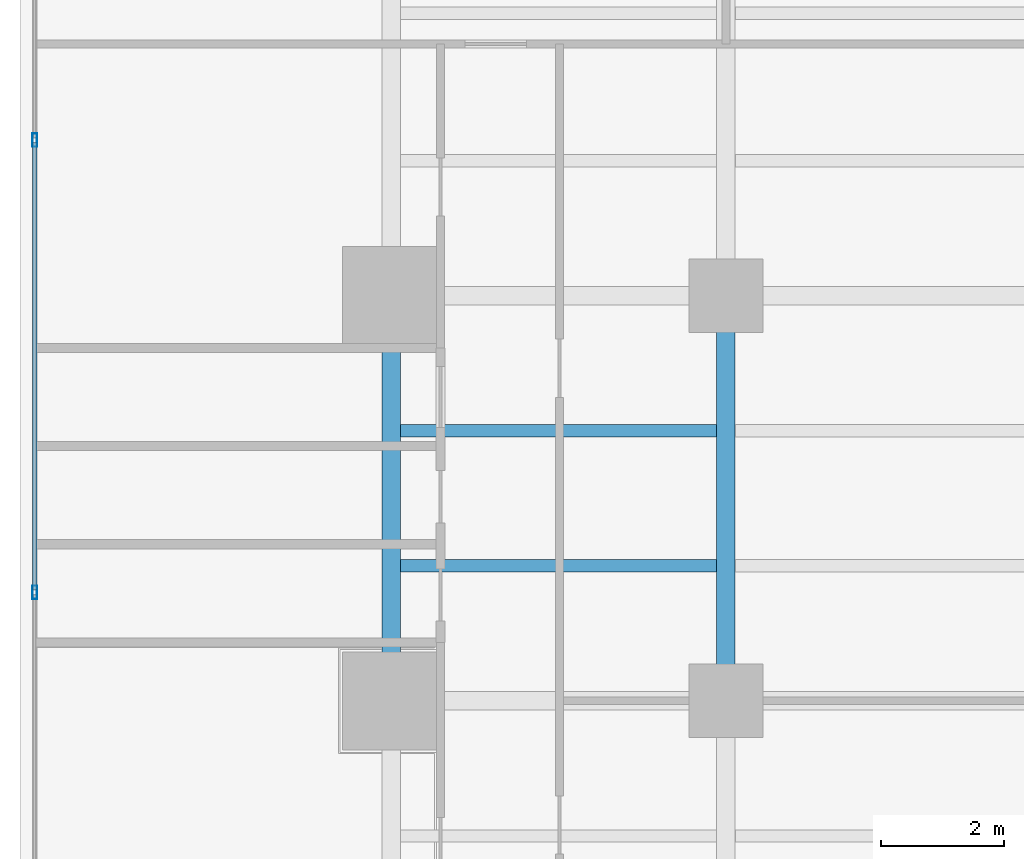
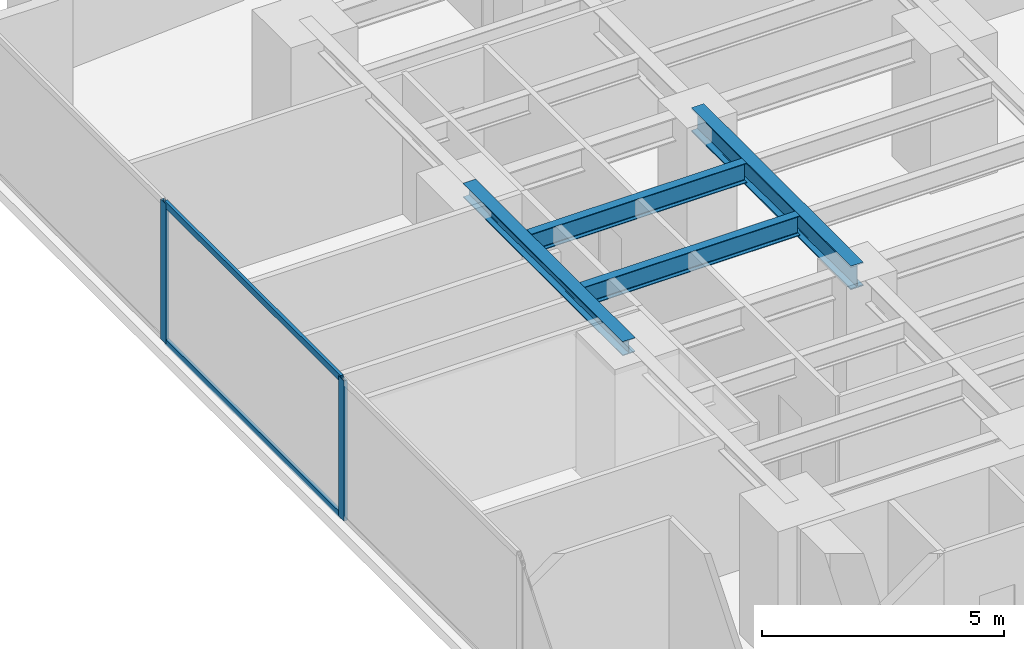
# One storey, part 15 of 30: 4 beams, 4 members, 1 element without a shape of its own.
"""IFC4 building model written with IfcOpenShell, lengths in metres."""

from ifc_helpers import new_model, si_unit, direction, frame, origin, origin_with_axes, origin_2d, place, context, subcontext, project, spatial, hollow_rectangle, i_section, extrude, source, transform, mapped, material, layer, layer_set, material_profile, profile_set, type_object, element, aggregate, save


model = new_model("IFC4")

# Units and contexts
model_context = context("Model", 3, precision=1e-05, world=origin(), true_north=direction((0.0, 1.0)))
body_context = subcontext(model_context, "Body", "Model", "MODEL_VIEW")
ifc_project = project(units=[si_unit("LENGTHUNIT", "METRE"), si_unit("AREAUNIT", "SQUARE_METRE"), si_unit("VOLUMEUNIT", "CUBIC_METRE"), si_unit("PLANEANGLEUNIT", "RADIAN"), si_unit("MASSUNIT", "GRAM", prefix="KILO")], contexts=[model_context])

# Site, building, storey
site_placement = place(None, origin())
site = spatial("IfcSite", under=ifc_project, at=site_placement, CompositionType="ELEMENT")
building_placement = place(site_placement, origin())
building = spatial("IfcBuilding", under=site, at=building_placement, Name="Kolvaren Waterfront Exchange", CompositionType="ELEMENT")
storey_placement = place(building_placement, frame((0.0, 0.0, 71.39990234375)))
storey = spatial("IfcBuildingStorey", under=building, at=storey_placement, Name="L18", CompositionType="ELEMENT", Elevation=71.39990234375)

# Beams
ifc_material_1 = material(Name="Steel S355", Category="steel")
ifc_material_profile_1 = material_profile(ifc_material_1, i_section(OverallWidth=0.300048828125, OverallDepth=0.360107421875, WebThickness=0.012451171875, FlangeThickness=0.0224609375, FilletRadius=0.027099609375, at=origin_2d()), Name="HEB360")
ifc_profile_set_1 = profile_set([ifc_material_profile_1], Name="Steel S355")
beam_type_1 = type_object("IfcBeamType", Name="STR-BM-HEB360", PredefinedType="SPANDREL", material=ifc_profile_set_1)
beam_1_placement = place(storey_placement, frame((7.449951171875, 31.199951171875, 3.360107421875), z_axis=(0.0, 1.0, 0.0), x_axis=(-1.0, 0.0, 0.0)))
element("IfcBeam", 1, at=beam_1_placement, inside=storey, type_object=beam_type_1, Name="L18 north-arm edge beam 2", PredefinedType="SPANDREL", context=body_context, shape_type="SweptSolid", body=[
    extrude(i_section(OverallWidth=0.300048828125, OverallDepth=0.360107421875, WebThickness=0.012451171875, FlangeThickness=0.0224609375, FilletRadius=0.027099609375, at=origin_2d()), origin(), (0.0, 0.0, 1.0), 6.60009765625),
])
ifc_material_profile_2 = material_profile(ifc_material_1, i_section(OverallWidth=0.300048828125, OverallDepth=0.60009765625, WebThickness=0.015380859375, FlangeThickness=0.030029296875, FilletRadius=0.027099609375, at=origin_2d()), Name="HEB600")
ifc_profile_set_2 = profile_set([ifc_material_profile_2], Name="Steel S355")
beam_type_2 = type_object("IfcBeamType", Name="STR-BM-HEB600", PredefinedType="BEAM", material=ifc_profile_set_2)
beam_2_placement = place(storey_placement, frame((12.89990234375, 31.199951171875, 3.239990234375), z_axis=(0.0, 1.0, 0.0), x_axis=(-1.0, 0.0, 0.0)))
element("IfcBeam", 2, at=beam_2_placement, inside=storey, type_object=beam_type_2, Name="L18 north-arm edge beam 2", PredefinedType="BEAM", context=body_context, shape_type="SweptSolid", body=[
    extrude(i_section(OverallWidth=0.300048828125, OverallDepth=0.60009765625, WebThickness=0.015380859375, FlangeThickness=0.030029296875, FilletRadius=0.027099609375, at=origin_2d()), origin(), (0.0, 0.0, 1.0), 6.60009765625),
])
ifc_material_profile_3 = material_profile(ifc_material_1, i_section(OverallWidth=0.199951171875, OverallDepth=0.5, WebThickness=0.01025390625, FlangeThickness=0.01611328125, FilletRadius=0.02099609375, at=origin_2d()), Name="IPE500")
ifc_profile_set_3 = profile_set([ifc_material_profile_3], Name="Steel S355")
beam_type_3 = type_object("IfcBeamType", Name="STR-BM-IPE500", PredefinedType="JOIST", material=ifc_profile_set_3)
for number, where, z_axis, x_axis, name in (
    (3, (7.60205078125, 33.39990234375, 3.2900390625), (1.0, 0.0, 0.0), (0.0, 1.0, 0.0), "L18 north-arm composite joist 3A"),
    (4, (7.60205078125, 35.60009765625, 3.2900390625), (1.0, 0.0, 0.0), (0.0, 1.0, 0.0), "L18 north-arm composite joist 4A"),
):
    element("IfcBeam", number, at=place(storey_placement, frame(where, z_axis=z_axis, x_axis=x_axis)), inside=storey, type_object=beam_type_3, Name=name, PredefinedType="JOIST", context=body_context, shape_type="SweptSolid", body=[
        extrude(i_section(OverallWidth=0.199951171875, OverallDepth=0.5, WebThickness=0.01025390625, FlangeThickness=0.01611328125, FilletRadius=0.02099609375, at=origin_2d()), origin(), (0.0, 0.0, 1.0), 5.14599609375),
    ])

# Curtain wall, members
ifc_material_2 = material(Name="Anodised aluminium 6063-T6", Category="aluminium")
ifc_layer = layer(ifc_material_2, 0.219970703125, Name="Anodised aluminium 6063-T6")
ifc_layer_set = layer_set([ifc_layer], Name="Anodised aluminium 6063-T6")
curtain_wall_type = type_object("IfcCurtainWallType", Name="ARC-CW-SYS2", PredefinedType="USERDEFINED", material=ifc_layer_set)
curtain_wall_placement = place(storey_placement, origin())
curtain_wall = element("IfcCurtainWall", 5, at=curtain_wall_placement, inside=storey, type_object=curtain_wall_type, Name="L18 stick curtain wall CW2 (CW-L18-W)", ObjectType="STICK CURTAIN WALL", PredefinedType="USERDEFINED")
ifc_material_profile_4 = material_profile(ifc_material_2, hollow_rectangle(XDim=0.074951171875, YDim=0.159912109375, WallThickness=0.00439453125, at=origin_2d()), Name="ALU-TRN-160x75x4.5")
ifc_profile_set_4 = profile_set([ifc_material_profile_4], Name="Anodised aluminium 6063-T6")
member_type_1 = type_object("IfcMemberType", Name="ARC-CWT-160", PredefinedType="USERDEFINED", material=ifc_profile_set_4)
shared_shape_1 = source(origin_with_axes(), body_context, "Body", "SweptSolid", [
    extrude(hollow_rectangle(XDim=0.074951171875, YDim=0.159912109375, WallThickness=0.00439453125, at=origin_2d()), origin(), (0.0, 0.0, 1.0), 7.28662109375),
])
member_1_placement = place(storey_placement, frame((1.639892578125, 33.006591796875, 0.03759765625), z_axis=(0.0, 1.0, 0.0), x_axis=(-1.0, 0.0, 0.0)))
member_1 = element("IfcMember", 6, at=member_1_placement, type_object=member_type_1, Name="CW2 transom 5.1", ObjectType="TRANSOM", PredefinedType="USERDEFINED", context=body_context, shape_type="MappedRepresentation", body=[
    mapped(shared_shape_1, transform((0.0, 0.0, 0.0), x_axis=(1.0, 0.0, 0.0), y_axis=(0.0, 1.0, 0.0), z_axis=(0.0, 0.0, 1.0), scale=1.0)),
])
member_2_placement = place(storey_placement, frame((1.639892578125, 33.006591796875, 3.502685546875), z_axis=(0.0, 1.0, 0.0), x_axis=(-1.0, 0.0, 0.0)))
member_2 = element("IfcMember", 7, at=member_2_placement, type_object=member_type_1, Name="CW2 transom 5.2", ObjectType="TRANSOM", PredefinedType="USERDEFINED", context=body_context, shape_type="MappedRepresentation", body=[
    mapped(shared_shape_1, transform((0.0, 0.0, 0.0), x_axis=(1.0, 0.0, 0.0), y_axis=(0.0, 1.0, 0.0), z_axis=(0.0, 0.0, 1.0), scale=1.0)),
])
ifc_material_profile_5 = material_profile(ifc_material_2, hollow_rectangle(XDim=0.080078125, YDim=0.219970703125, WallThickness=0.0048828125, at=origin_2d()), Name="ALU-MUL-220x80x5")
ifc_profile_set_5 = profile_set([ifc_material_profile_5], Name="Anodised aluminium 6063-T6")
member_type_2 = type_object("IfcMemberType", Name="ARC-CWM-220", PredefinedType="MULLION", material=ifc_profile_set_5)
shared_shape_2 = source(origin_with_axes(), body_context, "Body", "SweptSolid", [
    extrude(hollow_rectangle(XDim=0.080078125, YDim=0.219970703125, WallThickness=0.0048828125, at=origin_2d()), origin(), (0.0, 0.0, 1.0), 3.5400390625),
])
member_3_placement = place(storey_placement, frame((1.639892578125, 32.966552734375, 0.0), z_axis=(0.0, 0.0, 1.0), x_axis=(-1.0, 0.0, 0.0)))
member_3 = element("IfcMember", 8, at=member_3_placement, type_object=member_type_2, Name="CW2 mullion 5", PredefinedType="MULLION", context=body_context, shape_type="MappedRepresentation", body=[
    mapped(shared_shape_2, transform((0.0, 0.0, 0.0), x_axis=(1.0, 0.0, 0.0), y_axis=(0.0, 1.0, 0.0), z_axis=(0.0, 0.0, 1.0), scale=1.0)),
])
member_4_placement = place(storey_placement, frame((1.639892578125, 40.333251953125, 0.0), z_axis=(0.0, 0.0, 1.0), x_axis=(-1.0, 0.0, 0.0)))
member_4 = element("IfcMember", 9, at=member_4_placement, type_object=member_type_2, Name="CW2 mullion 6", PredefinedType="MULLION", context=body_context, shape_type="MappedRepresentation", body=[
    mapped(shared_shape_2, transform((0.0, 0.0, 0.0), x_axis=(1.0, 0.0, 0.0), y_axis=(0.0, 1.0, 0.0), z_axis=(0.0, 0.0, 1.0), scale=1.0)),
])
aggregate(curtain_wall, [member_3, member_4, member_1, member_2])

save(model, "model.ifc")
